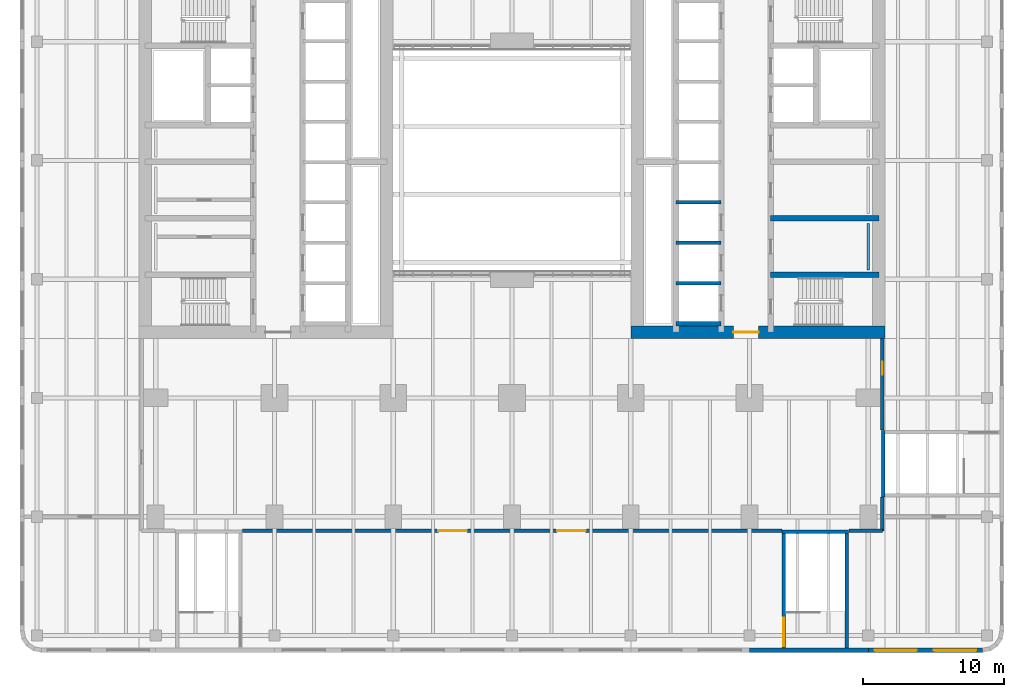
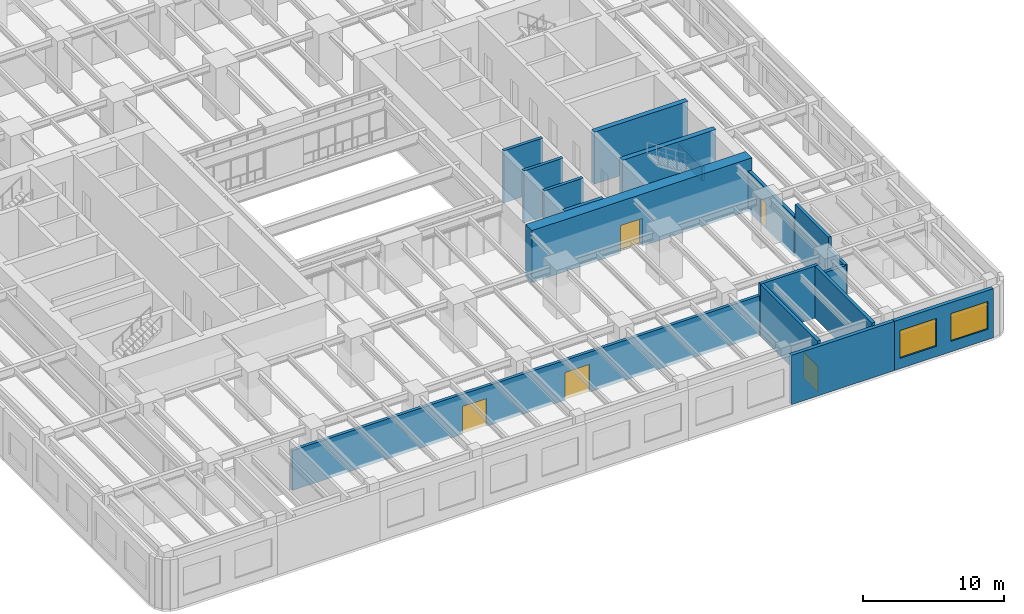
# One storey, part 10 of 22: 18 walls, 5 doors, 2 windows, 7 openings.
"""IFC4 building model written with IfcOpenShell, lengths in metres."""

from ifc_helpers import new_model, si_unit, direction, frame, frame_2d, origin, place, context, subcontext, project, spatial, rectangle, extrude, material, layer, layer_set, type_object, element, fill, save


model = new_model("IFC4")

# Units and contexts
model_context = context("Model", 3, precision=1e-05, world=origin(), true_north=direction((0.0, 1.0)))
body_context = subcontext(model_context, "Body", "Model", "MODEL_VIEW")
ifc_project = project(units=[si_unit("LENGTHUNIT", "METRE"), si_unit("AREAUNIT", "SQUARE_METRE"), si_unit("VOLUMEUNIT", "CUBIC_METRE"), si_unit("PLANEANGLEUNIT", "RADIAN"), si_unit("MASSUNIT", "GRAM", prefix="KILO")], contexts=[model_context])

# Site, building, storey
site_placement = place(None, origin())
site = spatial("IfcSite", under=ifc_project, at=site_placement, CompositionType="ELEMENT")
building_placement = place(site_placement, origin())
building = spatial("IfcBuilding", under=site, at=building_placement, Name="Claustro Exchange Tower", CompositionType="ELEMENT")
storey_placement = place(building_placement, frame((0.0, 0.0, 14.39990234375)))
storey = spatial("IfcBuildingStorey", under=building, at=storey_placement, Name="L03", CompositionType="ELEMENT", Elevation=14.39990234375)

# Wall, openings, doors
ifc_material_1 = material(Name="Concrete blockwork, rendered", Category="masonry")
ifc_layer_1 = layer(ifc_material_1, 0.25)
ifc_layer_set_1 = layer_set([ifc_layer_1], Name="Concrete blockwork, rendered")
wall_type_1 = type_object("IfcWallType", Name="P4 250 blockwork wall", PredefinedType="PARTITIONING", material=ifc_layer_set_1)
wall_1_placement = place(storey_placement, frame((6.1201171875, -1.0, 0.0), z_axis=(0.0, 0.0, 1.0), x_axis=(1.0, 0.0, 0.0)))
wall_1 = element("IfcWall", 1, at=wall_1_placement, inside=storey, type_object=wall_type_1, Name="Partition P4 L03", PredefinedType="PARTITIONING", context=body_context, shape_type="SweptSolid", body=[
    extrude(rectangle(XDim=38.159912109375, YDim=0.25, at=frame_2d((19.080078125, 0.0))), origin(), (0.0, 0.0, 1.0), 3.4501953125),
])
opening_1_placement = place(wall_1_placement, frame((13.8798828125, 0.0, 0.0)))
opening_1 = element("IfcOpeningElement", 2, at=opening_1_placement, cuts=wall_1, Name="Opening D9", PredefinedType="OPENING", context=body_context, shape_type="SweptSolid", body=[
    extrude(rectangle(XDim=2.0, YDim=2.39990234375, at=frame_2d((1.0, 1.199951171875))), frame((0.0, 0.135009765625, 0.0), z_axis=(0.0, -1.0, 0.0), x_axis=(1.0, 0.0, 0.0)), (0.0, 0.0, 1.0), 0.27001953125),
])
opening_2_placement = place(wall_1_placement, frame((22.280029296875, 0.0, 0.0)))
opening_2 = element("IfcOpeningElement", 3, at=opening_2_placement, cuts=wall_1, Name="Opening D9", PredefinedType="OPENING", context=body_context, shape_type="SweptSolid", body=[
    extrude(rectangle(XDim=2.0, YDim=2.39990234375, at=frame_2d((1.0, 1.199951171875))), frame((0.0, 0.135009765625, 0.0), z_axis=(0.0, -1.0, 0.0), x_axis=(1.0, 0.0, 0.0)), (0.0, 0.0, 1.0), 0.27001953125),
])
ifc_material_2 = material(Name="Steel fire door, painted", Category="steel")
door_type_1 = type_object("IfcDoorType", Name="D9 2000 x 2400 plant room double door", OperationType="DOUBLE_DOOR_SINGLE_SWING", PredefinedType="DOOR", material=ifc_material_2)
door_1_placement = place(opening_1_placement, origin())
door_1 = element("IfcDoor", 4, at=door_1_placement, inside=storey, type_object=door_type_1, Name="Double door D9 L03", OperationType="DOUBLE_DOOR_SINGLE_SWING", OverallHeight=2.39990234375, OverallWidth=2.0, PredefinedType="DOOR", context=body_context, shape_type="SweptSolid", body=[
    extrude(rectangle(XDim=2.0, YDim=2.39990234375, at=frame_2d((1.0, 1.199951171875))), frame((0.0, 0.02490234375, 0.0), z_axis=(0.0, -1.0, 0.0), x_axis=(1.0, 0.0, 0.0)), (0.0, 0.0, 1.0), 0.050048828125),
])
fill(opening_1, door_1)
door_2_placement = place(opening_2_placement, origin())
door_2 = element("IfcDoor", 5, at=door_2_placement, inside=storey, type_object=door_type_1, Name="Double door D9 L03", OperationType="DOUBLE_DOOR_SINGLE_SWING", OverallHeight=2.39990234375, OverallWidth=2.0, PredefinedType="DOOR", context=body_context, shape_type="SweptSolid", body=[
    extrude(rectangle(XDim=2.0, YDim=2.39990234375, at=frame_2d((1.0, 1.199951171875))), frame((0.0, 0.02490234375, 0.0), z_axis=(0.0, -1.0, 0.0), x_axis=(1.0, 0.0, 0.0)), (0.0, 0.0, 1.0), 0.050048828125),
])
fill(opening_2, door_2)

# Walls
for number, where, z_axis, x_axis, name in (
    (6, (49.02001953125, -1.0, 0.0), (0.0, 0.0, 1.0), (1.0, 0.0, 0.0), "Partition P4 L03"),
    (7, (51.39990234375, -1.0, 0.0), (0.0, 0.0, 1.0), (0.0, 1.0, 0.0), "Partition P4 L03"),
):
    element("IfcWall", number, at=place(storey_placement, frame(where, z_axis=z_axis, x_axis=x_axis)), inside=storey, type_object=wall_type_1, Name=name, PredefinedType="PARTITIONING", context=body_context, shape_type="SweptSolid", body=[
        extrude(rectangle(XDim=2.3798828125, YDim=0.25, at=frame_2d((1.18994140625, 0.0))), origin(), (0.0, 0.0, 1.0), 3.60009765625),
    ])

# Wall, opening, door
wall_2_placement = place(storey_placement, frame((51.39990234375, 6.1201171875, 0.0), z_axis=(0.0, 0.0, 1.0), x_axis=(0.0, 1.0, 0.0)))
wall_2 = element("IfcWall", 8, at=wall_2_placement, inside=storey, type_object=wall_type_1, Name="Partition P4 L03", PredefinedType="PARTITIONING", context=body_context, shape_type="SweptSolid", body=[
    extrude(rectangle(XDim=6.48193359375, YDim=0.25, at=frame_2d((3.240966796875, 0.0))), origin(), (0.0, 0.0, 1.0), 3.4501953125),
])
opening_3_placement = place(wall_2_placement, frame((3.929931640625, 0.0, 0.0)))
opening_3 = element("IfcOpeningElement", 9, at=opening_3_placement, cuts=wall_2, Name="Opening D12", PredefinedType="OPENING", context=body_context, shape_type="SweptSolid", body=[
    extrude(rectangle(XDim=0.89990234375, YDim=2.199951171875, at=frame_2d((0.449951171875, 1.10009765625))), frame((0.0, 0.135009765625, 0.0), z_axis=(0.0, -1.0, 0.0), x_axis=(1.0, 0.0, 0.0)), (0.0, 0.0, 1.0), 0.27001953125),
])
ifc_material_3 = material(Name="Steel door, painted", Category="steel")
door_type_2 = type_object("IfcDoorType", Name="D12 900 x 2200 plant and store room door", OperationType="SINGLE_SWING_LEFT", PredefinedType="DOOR", material=ifc_material_3)
door_3_placement = place(opening_3_placement, frame((0.89990234375, 0.0, 0.0), z_axis=(0.0, 0.0, 1.0), x_axis=(-1.0, 0.0, 0.0)))
door_3 = element("IfcDoor", 10, at=door_3_placement, inside=storey, type_object=door_type_2, Name="Door D12 L03", OperationType="SINGLE_SWING_LEFT", OverallHeight=2.199951171875, OverallWidth=0.89990234375, PredefinedType="DOOR", context=body_context, shape_type="SweptSolid", body=[
    extrude(rectangle(XDim=0.89990234375, YDim=2.199951171875, at=frame_2d((0.449951171875, 1.10009765625))), frame((0.0, 0.02490234375, 0.0), z_axis=(0.0, -1.0, 0.0), x_axis=(1.0, 0.0, 0.0)), (0.0, 0.0, 1.0), 0.050048828125),
])
fill(opening_3, door_3)

# Wall, openings, windows
ifc_material_4 = material(Name="Concrete HA-40 (C40/50), precast, white cement, acid-etched", Category="concrete")
ifc_layer_2 = layer(ifc_material_4, 0.300048828125)
ifc_layer_set_2 = layer_set([ifc_layer_2], Name="Concrete HA-40 (C40/50), precast, white cement, acid-etched")
wall_type_2 = type_object("IfcWallType", Name="PC1 300 precast concrete pier panel", PredefinedType="SOLIDWALL", material=ifc_layer_set_2)
wall_3_placement = place(storey_placement, frame((58.485107421875, -9.449951171875, 0.0), z_axis=(0.0, 0.0, 1.0), x_axis=(-1.0, 0.0, 0.0)))
wall_3 = element("IfcWall", 11, at=wall_3_placement, inside=storey, type_object=wall_type_2, Name="Precast pier panel PC1 L03", PredefinedType="SOLIDWALL", context=body_context, shape_type="SweptSolid", body=[
    extrude(rectangle(XDim=8.085205078125, YDim=0.300048828125, at=frame_2d((4.04248046875, 0.0))), origin(), (0.0, 0.0, 1.0), 4.25),
])
opening_4_placement = place(wall_3_placement, frame((0.442626953125, 0.0, 0.89990234375)))
opening_4 = element("IfcOpeningElement", 12, at=opening_4_placement, cuts=wall_3, Name="Opening W3", PredefinedType="OPENING", context=body_context, shape_type="SweptSolid", body=[
    extrude(rectangle(XDim=3.0, YDim=2.39990234375, at=frame_2d((1.5, 1.199951171875))), frame((0.0, 0.159912109375, 0.0), z_axis=(0.0, -1.0, 0.0), x_axis=(1.0, 0.0, 0.0)), (0.0, 0.0, 1.0), 0.320068359375),
])
opening_5_placement = place(wall_3_placement, frame((4.642578125, 0.0, 0.89990234375)))
opening_5 = element("IfcOpeningElement", 13, at=opening_5_placement, cuts=wall_3, Name="Opening W3", PredefinedType="OPENING", context=body_context, shape_type="SweptSolid", body=[
    extrude(rectangle(XDim=3.0, YDim=2.39990234375, at=frame_2d((1.5, 1.199951171875))), frame((0.0, 0.159912109375, 0.0), z_axis=(0.0, -1.0, 0.0), x_axis=(1.0, 0.0, 0.0)), (0.0, 0.0, 1.0), 0.320068359375),
])
ifc_material_5 = material(Name="Aluminium frame, clear double glazing", Category="aluminium")
window_type = type_object("IfcWindowType", Name="W3 3000 x 2400 window", PartitioningType="SINGLE_PANEL", PredefinedType="WINDOW", material=ifc_material_5)
window_1_placement = place(opening_4_placement, origin())
window_1 = element("IfcWindow", 14, at=window_1_placement, inside=storey, type_object=window_type, Name="Window W3 L03", OverallHeight=2.39990234375, OverallWidth=3.0, PartitioningType="SINGLE_PANEL", PredefinedType="WINDOW", context=body_context, shape_type="SweptSolid", body=[
    extrude(rectangle(XDim=3.0, YDim=2.39990234375, at=frame_2d((1.5, 1.199951171875))), frame((0.0, 0.030029296875, 0.0), z_axis=(0.0, -1.0, 0.0), x_axis=(1.0, 0.0, 0.0)), (0.0, 0.0, 1.0), 0.06005859375),
])
fill(opening_4, window_1)
window_2_placement = place(opening_5_placement, origin())
window_2 = element("IfcWindow", 15, at=window_2_placement, inside=storey, type_object=window_type, Name="Window W3 L03", OverallHeight=2.39990234375, OverallWidth=3.0, PartitioningType="SINGLE_PANEL", PredefinedType="WINDOW", context=body_context, shape_type="SweptSolid", body=[
    extrude(rectangle(XDim=3.0, YDim=2.39990234375, at=frame_2d((1.5, 1.199951171875))), frame((0.0, 0.030029296875, 0.0), z_axis=(0.0, -1.0, 0.0), x_axis=(1.0, 0.0, 0.0)), (0.0, 0.0, 1.0), 0.06005859375),
])
fill(opening_5, window_2)

# Walls
wall_4_placement = place(storey_placement, frame((50.39990234375, -9.449951171875, 0.0), z_axis=(0.0, 0.0, 1.0), x_axis=(-1.0, 0.0, 0.0)))
element("IfcWall", 16, at=wall_4_placement, inside=storey, type_object=wall_type_2, Name="Precast pier panel PC1 L03", PredefinedType="SOLIDWALL", context=body_context, shape_type="SweptSolid", body=[
    extrude(rectangle(XDim=8.39990234375, YDim=0.300048828125, at=frame_2d((4.199951171875, 0.0))), origin(), (0.0, 0.0, 1.0), 4.25),
])
ifc_material_6 = material(Name="Gypsum board on steel studs, tiled", Category="steel")
ifc_layer_3 = layer(ifc_material_6, 0.199951171875)
ifc_layer_set_3 = layer_set([ifc_layer_3], Name="Gypsum board on steel studs, tiled")
wall_type_3 = type_object("IfcWallType", Name="PW1 200 WC duct wall", PredefinedType="PLUMBINGWALL", material=ifc_layer_set_3)
wall_5_placement = place(storey_placement, frame((50.39990234375, 17.449951171875, 0.0), z_axis=(0.0, 0.0, 1.0), x_axis=(0.0, 1.0, 0.0)))
element("IfcWall", 17, at=wall_5_placement, inside=storey, type_object=wall_type_3, Name="WC duct wall PW1 L03", PredefinedType="PLUMBINGWALL", context=body_context, shape_type="SweptSolid", body=[
    extrude(rectangle(XDim=3.300048828125, YDim=0.199951171875, at=frame_2d((1.64990234375, 0.0))), origin(), (0.0, 0.0, 1.0), 1.2001953125),
])

# Wall, opening, door
ifc_material_7 = material(Name="Concrete HA-70 (C70/85)", Category="concrete")
ifc_layer_4 = layer(ifc_material_7, 0.89990234375)
ifc_layer_set_4 = layer_set([ifc_layer_4], Name="Concrete HA-70 (C70/85)")
wall_type_4 = type_object("IfcWallType", Name="SW1 900 core shear wall", PredefinedType="SHEAR", material=ifc_layer_set_4)
wall_6_placement = place(storey_placement, frame((33.60009765625, 13.050048828125, 0.0), z_axis=(0.0, 0.0, 1.0), x_axis=(1.0, 0.0, 0.0)))
wall_6 = element("IfcWall", 18, at=wall_6_placement, inside=storey, type_object=wall_type_4, Name="Core wall SW1 E core S face L03", PredefinedType="SHEAR", context=body_context, shape_type="SweptSolid", body=[
    extrude(rectangle(XDim=18.0, YDim=0.89990234375, at=frame_2d((9.0, 0.0))), origin(), (0.0, 0.0, 1.0), 4.5),
])
opening_6_placement = place(wall_6_placement, frame((7.25, 0.0, 0.0)))
opening_6 = element("IfcOpeningElement", 19, at=opening_6_placement, cuts=wall_6, Name="Opening D3", PredefinedType="OPENING", context=body_context, shape_type="SweptSolid", body=[
    extrude(rectangle(XDim=1.800048828125, YDim=2.39990234375, at=frame_2d((0.89990234375, 1.199951171875))), frame((0.0, 0.4599609375, 0.0), z_axis=(0.0, -1.0, 0.0), x_axis=(1.0, 0.0, 0.0)), (0.0, 0.0, 1.0), 0.919921875),
])
ifc_material_8 = material(Name="Steel fire door, painted", Category="steel")
door_type_3 = type_object("IfcDoorType", Name="D3 1800 x 2400 fire-rated lobby double door", OperationType="DOUBLE_DOOR_SINGLE_SWING", PredefinedType="DOOR", material=ifc_material_8)
door_4_placement = place(opening_6_placement, origin())
door_4 = element("IfcDoor", 20, at=door_4_placement, inside=storey, type_object=door_type_3, Name="Lift lobby door D3 L03", OperationType="DOUBLE_DOOR_SINGLE_SWING", OverallHeight=2.39990234375, OverallWidth=1.800048828125, PredefinedType="DOOR", context=body_context, shape_type="SweptSolid", body=[
    extrude(rectangle(XDim=1.800048828125, YDim=2.39990234375, at=frame_2d((0.89990234375, 1.199951171875))), frame((0.0, 0.02490234375, 0.0), z_axis=(0.0, -1.0, 0.0), x_axis=(1.0, 0.0, 0.0)), (0.0, 0.0, 1.0), 0.050048828125),
])
fill(opening_6, door_4)

# Walls
ifc_material_9 = material(Name="Concrete HA-50 (C50/60)", Category="concrete")
ifc_layer_5 = layer(ifc_material_9, 0.39990234375)
ifc_layer_set_5 = layer_set([ifc_layer_5], Name="Concrete HA-50 (C50/60)")
wall_type_5 = type_object("IfcWallType", Name="SW4 400 internal core wall", PredefinedType="SHEAR", material=ifc_layer_set_5)
for number, where, z_axis, x_axis, name in (
    (21, (51.14990234375, 17.10009765625, 0.0), (0.0, 0.0, 1.0), (-1.0, 0.0, 0.0), "Internal core wall SW4 E core L03"),
    (22, (51.14990234375, 21.10009765625, 0.0), (0.0, 0.0, 1.0), (-1.0, 0.0, 0.0), "Internal core wall SW4 E core L03"),
):
    element("IfcWall", number, at=place(storey_placement, frame(where, z_axis=z_axis, x_axis=x_axis)), inside=storey, type_object=wall_type_5, Name=name, PredefinedType="SHEAR", context=body_context, shape_type="SweptSolid", body=[
        extrude(rectangle(XDim=7.64990234375, YDim=0.39990234375, at=frame_2d((3.824951171875, 0.0))), origin(), (0.0, 0.0, 1.0), 4.5),
    ])
ifc_material_10 = material(Name="Concrete HA-50 (C50/60)", Category="concrete")
ifc_layer_6 = layer(ifc_material_10, 0.25)
ifc_layer_set_6 = layer_set([ifc_layer_6], Name="Concrete HA-50 (C50/60)")
wall_type_6 = type_object("IfcWallType", Name="SW5 250 lift shaft divider wall", PredefinedType="SHEAR", material=ifc_layer_set_6)
for number, where, z_axis, x_axis, name in (
    (23, (40.0, 16.52490234375, 0.0), (0.0, 0.0, 1.0), (-1.0, 0.0, 0.0), "Lift shaft wall E core L03"),
    (24, (40.0, 19.375, 0.0), (0.0, 0.0, 1.0), (-1.0, 0.0, 0.0), "Lift shaft wall E core L03"),
    (25, (40.0, 22.22509765625, 0.0), (0.0, 0.0, 1.0), (-1.0, 0.0, 0.0), "Lift shaft wall E core L03"),
):
    element("IfcWall", number, at=place(storey_placement, frame(where, z_axis=z_axis, x_axis=x_axis)), inside=storey, type_object=wall_type_6, Name=name, PredefinedType="SHEAR", context=body_context, shape_type="SweptSolid", body=[
        extrude(rectangle(XDim=3.199951171875, YDim=0.25, at=frame_2d((1.60009765625, 0.0))), origin(), (0.0, 0.0, 1.0), 4.5),
    ])
ifc_material_11 = material(Name="Concrete HA-50 (C50/60)", Category="concrete")
ifc_layer_7 = layer(ifc_material_11, 0.300048828125)
ifc_layer_set_7 = layer_set([ifc_layer_7], Name="Concrete HA-50 (C50/60)")
wall_type_7 = type_object("IfcWallType", Name="SW6A 300 lift shaft end wall", PredefinedType="SHEAR", material=ifc_layer_set_7)
wall_7_placement = place(storey_placement, frame((40.0, 13.64990234375, 0.0), z_axis=(0.0, 0.0, 1.0), x_axis=(-1.0, 0.0, 0.0)))
element("IfcWall", 26, at=wall_7_placement, inside=storey, type_object=wall_type_7, Name="Lift shaft wall E core L03", PredefinedType="SHEAR", context=body_context, shape_type="SweptSolid", body=[
    extrude(rectangle(XDim=3.199951171875, YDim=0.300048828125, at=frame_2d((1.60009765625, 0.0))), origin(), (0.0, 0.0, 1.0), 4.5),
])

# Wall, opening, door
ifc_material_12 = material(Name="Concrete HA-40 (C40/50)", Category="concrete")
ifc_layer_8 = layer(ifc_material_12, 0.25)
ifc_layer_set_8 = layer_set([ifc_layer_8], Name="Concrete HA-40 (C40/50)")
wall_type_8 = type_object("IfcWallType", Name="SW7 250 reinforced concrete stair wall", PredefinedType="SOLIDWALL", material=ifc_layer_set_8)
wall_8_placement = place(storey_placement, frame((44.425048828125, -9.302001953125, 0.0), z_axis=(0.0, 0.0, 1.0), x_axis=(0.0, 1.0, 0.0)))
wall_8 = element("IfcWall", 27, at=wall_8_placement, inside=storey, type_object=wall_type_8, Name="Stair enclosure wall STP2 SW7 L03", PredefinedType="SOLIDWALL", context=body_context, shape_type="SweptSolid", body=[
    extrude(rectangle(XDim=8.10205078125, YDim=0.25, at=frame_2d((4.051025390625, 0.0))), origin(), (0.0, 0.0, 1.0), 4.5),
])
opening_7_placement = place(wall_8_placement, frame((0.14990234375, 0.0, 0.0)))
opening_7 = element("IfcOpeningElement", 28, at=opening_7_placement, cuts=wall_8, Name="Opening D11", PredefinedType="OPENING", context=body_context, shape_type="SweptSolid", body=[
    extrude(rectangle(XDim=2.0, YDim=2.199951171875, at=frame_2d((1.0, 1.10009765625))), frame((0.0, 0.135009765625, 0.0), z_axis=(0.0, -1.0, 0.0), x_axis=(1.0, 0.0, 0.0)), (0.0, 0.0, 1.0), 0.27001953125),
])
ifc_material_13 = material(Name="Steel fire door, painted", Category="steel")
door_type_4 = type_object("IfcDoorType", Name="D11 2000 x 2200 fire-rated stair double door", OperationType="DOUBLE_DOOR_SINGLE_SWING", PredefinedType="DOOR", material=ifc_material_13)
door_5_placement = place(opening_7_placement, frame((2.0, 0.0, 0.0), z_axis=(0.0, 0.0, 1.0), x_axis=(-1.0, 0.0, 0.0)))
door_5 = element("IfcDoor", 29, at=door_5_placement, inside=storey, type_object=door_type_4, Name="Stair door STP2 D11 L03", OperationType="DOUBLE_DOOR_SINGLE_SWING", OverallHeight=2.199951171875, OverallWidth=2.0, PredefinedType="DOOR", context=body_context, shape_type="SweptSolid", body=[
    extrude(rectangle(XDim=2.0, YDim=2.199951171875, at=frame_2d((1.0, 1.10009765625))), frame((0.0, 0.02490234375, 0.0), z_axis=(0.0, -1.0, 0.0), x_axis=(1.0, 0.0, 0.0)), (0.0, 0.0, 1.0), 0.050048828125),
])
fill(opening_7, door_5)

# Walls
wall_9_placement = place(storey_placement, frame((48.875, -9.302001953125, 0.0), z_axis=(0.0, 0.0, 1.0), x_axis=(0.0, 1.0, 0.0)))
element("IfcWall", 30, at=wall_9_placement, inside=storey, type_object=wall_type_8, Name="Stair enclosure wall STP2 SW7 L03", PredefinedType="SOLIDWALL", context=body_context, shape_type="SweptSolid", body=[
    extrude(rectangle(XDim=8.10205078125, YDim=0.25, at=frame_2d((4.051025390625, 0.0))), origin(), (0.0, 0.0, 1.0), 4.5),
])
wall_10_placement = place(storey_placement, frame((44.300048828125, -1.074951171875, 0.0), z_axis=(0.0, 0.0, 1.0), x_axis=(1.0, 0.0, 0.0)))
element("IfcWall", 31, at=wall_10_placement, inside=storey, type_object=wall_type_8, Name="Stair enclosure wall STP2 SW7 L03", PredefinedType="SOLIDWALL", context=body_context, shape_type="SweptSolid", body=[
    extrude(rectangle(XDim=4.699951171875, YDim=0.25, at=frame_2d((2.35009765625, 0.0))), origin(), (0.0, 0.0, 1.0), 4.5),
])
wall_11_placement = place(storey_placement, frame((51.47509765625, 1.39990234375, 0.0), z_axis=(0.0, 0.0, 1.0), x_axis=(0.0, 1.0, 0.0)))
element("IfcWall", 32, at=wall_11_placement, inside=storey, type_object=wall_type_8, Name="Stair enclosure wall STP6 SW7 L03", PredefinedType="SOLIDWALL", context=body_context, shape_type="SweptSolid", body=[
    extrude(rectangle(XDim=4.7001953125, YDim=0.25, at=frame_2d((2.35009765625, 0.0))), origin(), (0.0, 0.0, 1.0), 4.5),
])

save(model, "model.ifc")
